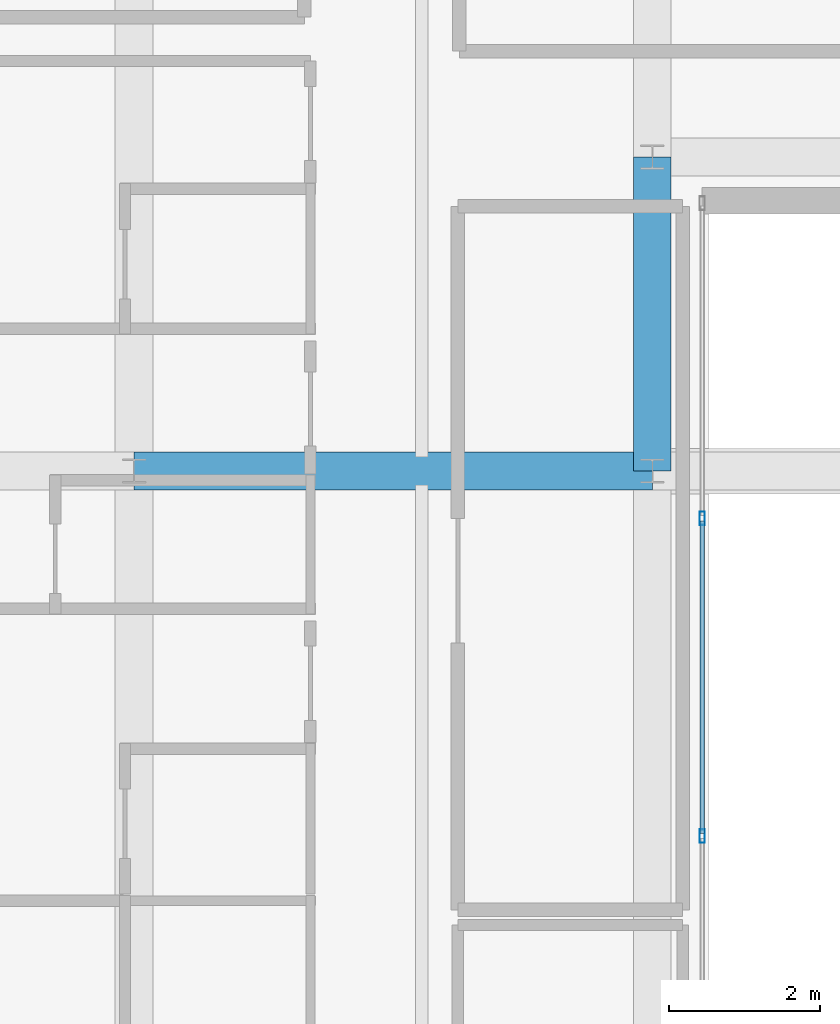
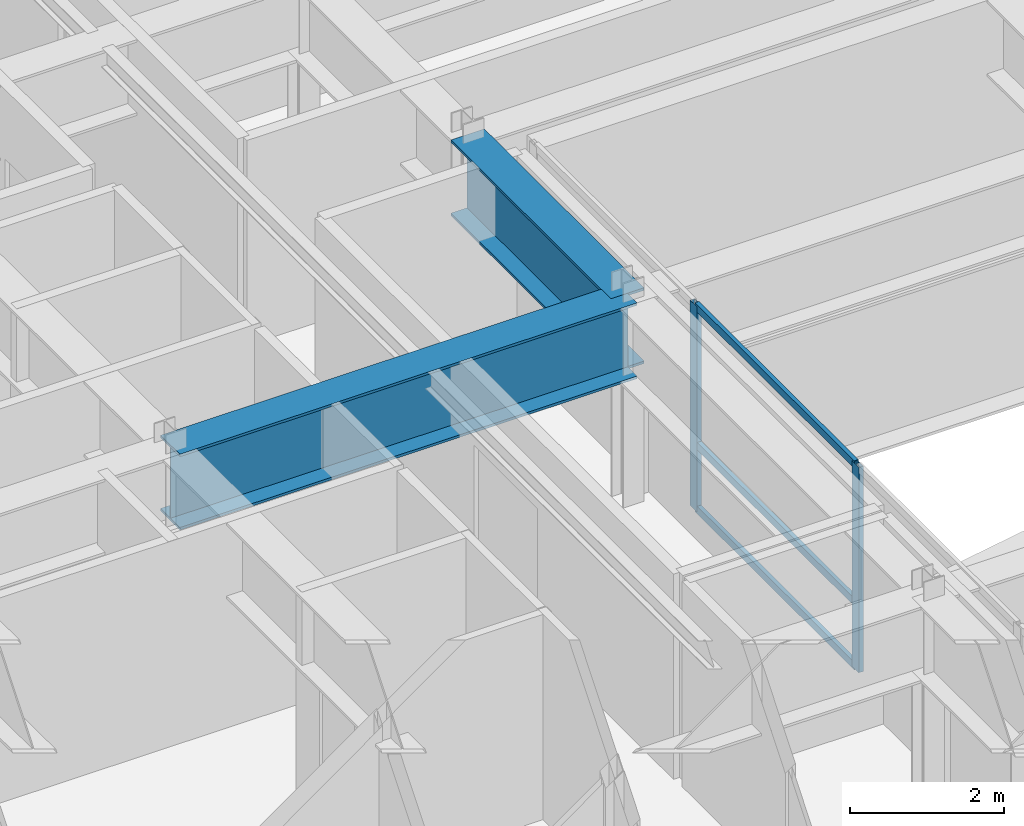
# One storey, part 6 of 21: 5 members, 2 beams, 1 element without a shape of its own.
"""IFC4 building model written with IfcOpenShell, lengths in metres."""

from ifc_helpers import new_model, si_unit, direction, frame, origin, origin_2d, place, context, subcontext, project, spatial, hollow_rectangle, i_section, extrude, source, transform, mapped, material, layer, layer_set, material_profile, profile_set, type_object, type_shapes, element, aggregate, save


model = new_model("IFC4")

# Units and contexts
model_context = context("Model", 3, precision=1e-05, world=origin(), true_north=direction((0.0, 1.0)))
body_context = subcontext(model_context, "Body", "Model", "MODEL_VIEW")
ifc_project = project(units=[si_unit("LENGTHUNIT", "METRE"), si_unit("AREAUNIT", "SQUARE_METRE"), si_unit("VOLUMEUNIT", "CUBIC_METRE"), si_unit("PLANEANGLEUNIT", "RADIAN"), si_unit("MASSUNIT", "GRAM", prefix="KILO")], contexts=[model_context])

# Site, building, storey
site_placement = place(None, origin())
site = spatial("IfcSite", under=ifc_project, at=site_placement, CompositionType="ELEMENT")
building_placement = place(site_placement, origin())
building = spatial("IfcBuilding", under=site, at=building_placement, Name="Tolvann Quenvar Hotel", CompositionType="ELEMENT")
storey_placement = place(building_placement, frame((0.0, 0.0, 266.5)))
storey = spatial("IfcBuildingStorey", under=building, at=storey_placement, Name="L71", CompositionType="ELEMENT", Elevation=266.5)

# Beams
ifc_material_1 = material(Name="Steel Grade 350", Category="steel")
ifc_material_profile_1 = material_profile(ifc_material_1, i_section(OverallWidth=0.5, OverallDepth=1.199951171875, WebThickness=0.01611328125, FlangeThickness=0.0400390625, at=origin_2d()), Name="1200WB455")
ifc_profile_set_1 = profile_set([ifc_material_profile_1], Name="Steel Grade 350")
beam_type = type_object("IfcBeamType", Name="BM_TG_1200WB455", PredefinedType="USERDEFINED", material=ifc_profile_set_1)
shared_shape_1 = source(origin(), body_context, "Body", "SweptSolid", [
    extrude(i_section(OverallWidth=0.5, OverallDepth=1.199951171875, WebThickness=0.01611328125, FlangeThickness=0.0400390625, at=origin_2d()), origin(), (0.0, 0.0, 1.0), 6.849853515625),
])
beam_1_placement = place(storey_placement, frame((7.60009765625, 16.0, 2.64990234375), z_axis=(1.0, 0.0, 0.0), x_axis=(0.0, 1.0, 0.0)))
element("IfcBeam", 1, at=beam_1_placement, inside=storey, type_object=beam_type, Name="BM-L71-EW-4-C4-D4", ObjectType="TRANSFER GIRDER", PredefinedType="USERDEFINED", context=body_context, shape_type="MappedRepresentation", body=[
    mapped(shared_shape_1, transform((0.0, 0.0, 0.0), x_axis=(1.0, 0.0, 0.0), y_axis=(0.0, 1.0, 0.0), z_axis=(0.0, 0.0, 1.0), scale=1.0)),
])
shared_shape_2 = source(origin(), body_context, "Body", "SweptSolid", [
    extrude(i_section(OverallWidth=0.5, OverallDepth=1.199951171875, WebThickness=0.01611328125, FlangeThickness=0.0400390625, at=origin_2d()), origin(), (0.0, 0.0, 1.0), 4.14990234375),
])
type_shapes(beam_type, [shared_shape_1, shared_shape_2])
beam_2_placement = place(storey_placement, frame((14.449951171875, 16.0, 2.64990234375), z_axis=(0.0, 1.0, 0.0), x_axis=(-1.0, 0.0, 0.0)))
element("IfcBeam", 2, at=beam_2_placement, inside=storey, type_object=beam_type, Name="TG-L71-NS-D4", ObjectType="TRANSFER GIRDER", PredefinedType="USERDEFINED", context=body_context, shape_type="MappedRepresentation", body=[
    mapped(shared_shape_2, transform((0.0, 0.0, 0.0), x_axis=(1.0, 0.0, 0.0), y_axis=(0.0, 1.0, 0.0), z_axis=(0.0, 0.0, 1.0), scale=1.0)),
])

# Curtain wall, members
ifc_material_2 = material(Name="Thermally broken anodised architectural aluminium 6063-T6 and laminated low-E glass", Category="aluminium")
ifc_layer = layer(ifc_material_2, 0.179931640625)
ifc_layer_set = layer_set([ifc_layer], Name="Thermally broken anodised architectural aluminium 6063-T6 and laminated low-E glass")
curtain_wall_type = type_object("IfcCurtainWallType", Name="CW_SYS_PORTAL_05", PredefinedType="USERDEFINED", material=ifc_layer_set)
curtain_wall_placement = place(storey_placement, origin())
curtain_wall = element("IfcCurtainWall", 3, at=curtain_wall_placement, inside=storey, type_object=curtain_wall_type, Name="Curtain Wall CW-PORTAL-05 (CWR-L71-E05)", ObjectType="UNITISED CURTAIN WALL", PredefinedType="USERDEFINED")
ifc_material_3 = material(Name="Anodised architectural aluminium 6063-T6 framing", Category="aluminium")
ifc_material_profile_2 = material_profile(ifc_material_3, hollow_rectangle(XDim=0.070068359375, YDim=0.179931640625, WallThickness=0.00390625, at=origin_2d()), Name="180x70x4RHS")
ifc_profile_set_2 = profile_set([ifc_material_profile_2], Name="Anodised architectural aluminium 6063-T6 framing")
member_type_1 = type_object("IfcMemberType", Name="CW_MULL_180x70", PredefinedType="MULLION", material=ifc_profile_set_2)
shared_shape_3 = source(origin(), body_context, "Body", "SweptSolid", [
    extrude(hollow_rectangle(XDim=0.070068359375, YDim=0.179931640625, WallThickness=0.00390625, at=origin_2d()), origin(), (0.0, 0.0, 1.0), 3.25),
])
type_shapes(member_type_1, [shared_shape_3])
member_1_placement = place(storey_placement, frame((15.110107421875, 11.175048828125, 0.0), z_axis=(0.0, 0.0, 1.0), x_axis=(-1.0, 0.0, 0.0)))
member_1 = element("IfcMember", 4, at=member_1_placement, type_object=member_type_1, Name="CW-PORTAL-05 mullion 3", PredefinedType="MULLION", context=body_context, shape_type="MappedRepresentation", body=[
    mapped(shared_shape_3, transform((0.0, 0.0, 0.0), x_axis=(1.0, 0.0, 0.0), y_axis=(0.0, 1.0, 0.0), z_axis=(0.0, 0.0, 1.0), scale=1.0)),
])
member_2_placement = place(storey_placement, frame((15.110107421875, 15.375, 0.0), z_axis=(0.0, 0.0, 1.0), x_axis=(-1.0, 0.0, 0.0)))
member_2 = element("IfcMember", 5, at=member_2_placement, type_object=member_type_1, Name="CW-PORTAL-05 mullion 4", PredefinedType="MULLION", context=body_context, shape_type="MappedRepresentation", body=[
    mapped(shared_shape_3, transform((0.0, 0.0, 0.0), x_axis=(1.0, 0.0, 0.0), y_axis=(0.0, 1.0, 0.0), z_axis=(0.0, 0.0, 1.0), scale=1.0)),
])
ifc_material_profile_3 = material_profile(ifc_material_3, hollow_rectangle(XDim=0.06005859375, YDim=0.1201171875, WallThickness=0.00341796875, at=origin_2d()), Name="120x60x3.5RHS")
ifc_profile_set_3 = profile_set([ifc_material_profile_3], Name="Anodised architectural aluminium 6063-T6 framing")
member_type_2 = type_object("IfcMemberType", Name="CW_TRAN_120x60", PredefinedType="USERDEFINED", material=ifc_profile_set_3)
shared_shape_4 = source(origin(), body_context, "Body", "SweptSolid", [
    extrude(hollow_rectangle(XDim=0.06005859375, YDim=0.1201171875, WallThickness=0.00341796875, at=origin_2d()), origin(), (0.0, 0.0, 1.0), 4.130126953125),
])
type_shapes(member_type_2, [shared_shape_4])
member_3_placement = place(storey_placement, frame((15.110107421875, 11.2099609375, 0.030029296875), z_axis=(0.0, 1.0, 0.0), x_axis=(-1.0, 0.0, 0.0)))
member_3 = element("IfcMember", 6, at=member_3_placement, type_object=member_type_2, Name="CW-PORTAL-05 transom 3.1", ObjectType="TRANSOM", PredefinedType="USERDEFINED", context=body_context, shape_type="MappedRepresentation", body=[
    mapped(shared_shape_4, transform((0.0, 0.0, 0.0), x_axis=(1.0, 0.0, 0.0), y_axis=(0.0, 1.0, 0.0), z_axis=(0.0, 0.0, 1.0), scale=1.0)),
])
member_4_placement = place(storey_placement, frame((15.110107421875, 11.2099609375, 1.0400390625), z_axis=(0.0, 1.0, 0.0), x_axis=(-1.0, 0.0, 0.0)))
member_4 = element("IfcMember", 7, at=member_4_placement, type_object=member_type_2, Name="CW-PORTAL-05 transom 3.2", ObjectType="TRANSOM", PredefinedType="USERDEFINED", context=body_context, shape_type="MappedRepresentation", body=[
    mapped(shared_shape_4, transform((0.0, 0.0, 0.0), x_axis=(1.0, 0.0, 0.0), y_axis=(0.0, 1.0, 0.0), z_axis=(0.0, 0.0, 1.0), scale=1.0)),
])
member_5_placement = place(storey_placement, frame((15.110107421875, 11.2099609375, 3.219970703125), z_axis=(0.0, 1.0, 0.0), x_axis=(-1.0, 0.0, 0.0)))
member_5 = element("IfcMember", 8, at=member_5_placement, type_object=member_type_2, Name="CW-PORTAL-05 transom 3.3", ObjectType="TRANSOM", PredefinedType="USERDEFINED", context=body_context, shape_type="MappedRepresentation", body=[
    mapped(shared_shape_4, transform((0.0, 0.0, 0.0), x_axis=(1.0, 0.0, 0.0), y_axis=(0.0, 1.0, 0.0), z_axis=(0.0, 0.0, 1.0), scale=1.0)),
])
aggregate(curtain_wall, [member_1, member_2, member_3, member_4, member_5])

save(model, "model.ifc")
